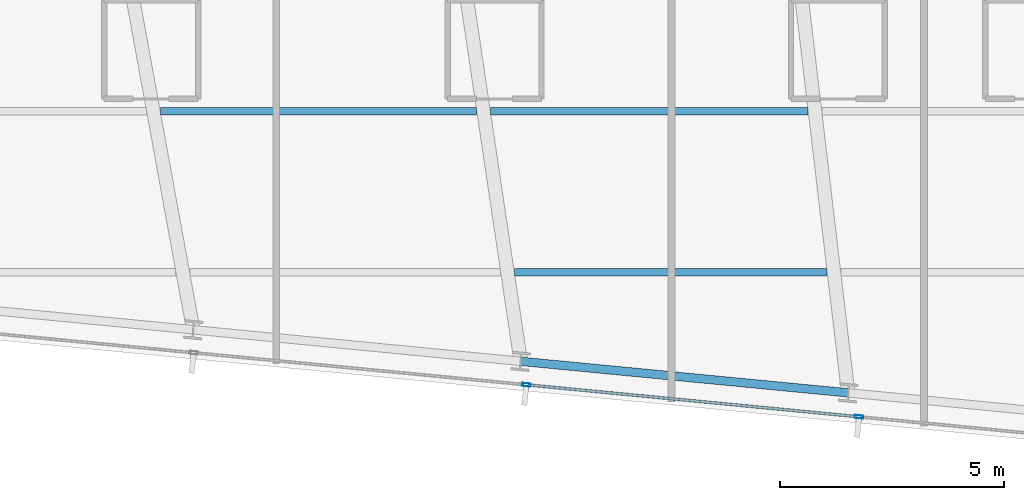
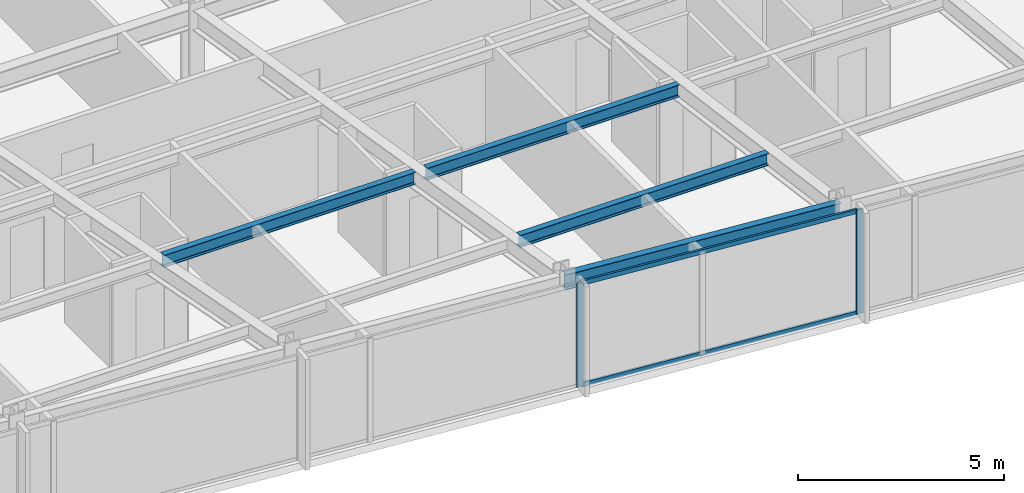
# One storey, part 12 of 38: 4 beams, 4 members, 1 element without a shape of its own.
"""IFC4 building model written with IfcOpenShell, lengths in metres."""

from ifc_helpers import new_model, si_unit, direction, frame, origin, origin_2d, place, context, subcontext, project, spatial, hollow_rectangle, i_section, extrude, material, material_profile, profile_set, type_object, element, aggregate, save


model = new_model("IFC4")

# Units and contexts
model_context = context("Model", 3, precision=1e-05, world=origin(), true_north=direction((0.0, 1.0)))
body_context = subcontext(model_context, "Body", "Model", "MODEL_VIEW")
ifc_project = project(units=[si_unit("LENGTHUNIT", "METRE"), si_unit("AREAUNIT", "SQUARE_METRE"), si_unit("VOLUMEUNIT", "CUBIC_METRE"), si_unit("PLANEANGLEUNIT", "RADIAN"), si_unit("MASSUNIT", "GRAM", prefix="KILO")], contexts=[model_context])

# Site, building, storey
site_placement = place(None, origin())
site = spatial("IfcSite", under=ifc_project, at=site_placement, CompositionType="ELEMENT")
building_placement = place(site_placement, origin())
building = spatial("IfcBuilding", under=site, at=building_placement, Name="Yelkora Congress Tower", CompositionType="ELEMENT")
storey_placement = place(building_placement, frame((0.0, 0.0, 185.300048828125)))
storey = spatial("IfcBuildingStorey", under=building, at=storey_placement, Name="L51", CompositionType="ELEMENT", Elevation=185.300048828125)

# Beams
ifc_material_1 = material(Name="Steel S355J2", Category="steel")
ifc_material_profile_1 = material_profile(ifc_material_1, i_section(OverallWidth=0.169921875, OverallDepth=0.360107421875, WebThickness=0.008056640625, FlangeThickness=0.0126953125, FilletRadius=0.01806640625, at=origin_2d()), Name="IPE 360")
ifc_profile_set_1 = profile_set([ifc_material_profile_1], Name="Steel S355J2")
beam_type_1 = type_object("IfcBeamType", Name="BM-JOIST-IPE360", PredefinedType="JOIST", material=ifc_profile_set_1)
beam_1_placement = place(storey_placement, frame((40.39990234375, 12.8212890625, 2.89990234375), z_axis=(1.0, 0.0, 0.0), x_axis=(0.0, 1.0, 0.0)))
element("IfcBeam", 1, at=beam_1_placement, inside=storey, type_object=beam_type_1, Name="L51 Composite Floor Joist 3", PredefinedType="JOIST", context=body_context, shape_type="SweptSolid", body=[
    extrude(i_section(OverallWidth=0.169921875, OverallDepth=0.360107421875, WebThickness=0.008056640625, FlangeThickness=0.0126953125, FilletRadius=0.01806640625, at=origin_2d()), origin(), (0.0, 0.0, 1.0), 6.98095703125),
])
beam_2_placement = place(storey_placement, frame((32.481201171875, 16.421142578125, 2.89990234375), z_axis=(1.0, 0.0, 0.0), x_axis=(0.0, 1.0, 0.0)))
element("IfcBeam", 2, at=beam_2_placement, inside=storey, type_object=beam_type_1, Name="L51 Composite Floor Joist 9", PredefinedType="JOIST", context=body_context, shape_type="SweptSolid", body=[
    extrude(i_section(OverallWidth=0.169921875, OverallDepth=0.360107421875, WebThickness=0.008056640625, FlangeThickness=0.0126953125, FilletRadius=0.01806640625, at=origin_2d()), origin(), (0.0, 0.0, 1.0), 7.063720703125),
])
beam_3_placement = place(storey_placement, frame((39.86474609375, 16.421142578125, 2.89990234375), z_axis=(1.0, 0.0, 0.0), x_axis=(0.0, 1.0, 0.0)))
element("IfcBeam", 3, at=beam_3_placement, inside=storey, type_object=beam_type_1, Name="L51 Composite Floor Joist 10", PredefinedType="JOIST", context=body_context, shape_type="SweptSolid", body=[
    extrude(i_section(OverallWidth=0.169921875, OverallDepth=0.360107421875, WebThickness=0.008056640625, FlangeThickness=0.0126953125, FilletRadius=0.01806640625, at=origin_2d()), origin(), (0.0, 0.0, 1.0), 7.09130859375),
])
ifc_material_profile_2 = material_profile(ifc_material_1, i_section(OverallWidth=0.18994140625, OverallDepth=0.449951171875, WebThickness=0.009521484375, FlangeThickness=0.0146484375, FilletRadius=0.02099609375, at=origin_2d()), Name="IPE 450")
ifc_profile_set_2 = profile_set([ifc_material_profile_2], Name="Steel S355J2")
beam_type_2 = type_object("IfcBeamType", Name="BM-SPAN-IPE450", PredefinedType="SPANDREL", material=ifc_profile_set_2)
beam_4_placement = place(storey_placement, frame((40.53564453125, 10.83154296875, 2.85498046875), z_axis=(0.995397104697, -0.095836339457, 0.0), x_axis=(0.095836339457, 0.995397104697, 0.0)))
element("IfcBeam", 4, at=beam_4_placement, inside=storey, type_object=beam_type_2, Name="L51 Perimeter Beam 7", PredefinedType="SPANDREL", context=body_context, shape_type="SweptSolid", body=[
    extrude(i_section(OverallWidth=0.18994140625, OverallDepth=0.449951171875, WebThickness=0.009521484375, FlangeThickness=0.0146484375, FilletRadius=0.02099609375, at=origin_2d()), origin(), (0.0, 0.0, 1.0), 7.357177734375),
])

# Curtain wall, members
ifc_material_2 = material(Name="Anodised aluminium and insulated glass", Category="aluminium")
curtain_wall_type = type_object("IfcCurtainWallType", Name="CW-SYS-B3", PredefinedType="NOTDEFINED", material=ifc_material_2)
curtain_wall_placement = place(storey_placement, origin())
curtain_wall = element("IfcCurtainWall", 5, at=curtain_wall_placement, inside=storey, type_object=curtain_wall_type, Name="L51 Unitised Curtain Wall 20", PredefinedType="NOTDEFINED")
ifc_material_3 = material(Name="Anodised aluminium 6063-T6", Category="aluminium")
ifc_material_profile_3 = material_profile(ifc_material_3, hollow_rectangle(XDim=0.070068359375, YDim=0.18994140625, WallThickness=0.00390625, at=origin_2d()), Name="ALU 70x190x4")
ifc_profile_set_3 = profile_set([ifc_material_profile_3], Name="Anodised aluminium 6063-T6")
member_type_1 = type_object("IfcMemberType", Name="MEM-ML-B3", PredefinedType="MULLION", material=ifc_profile_set_3)
member_1_placement = place(storey_placement, frame((48.1015625, 9.590576171875, 0.0), z_axis=(0.0, 0.0, 1.0), x_axis=(-0.095844680679, -0.995396301573, 0.0)))
member_1 = element("IfcMember", 6, at=member_1_placement, type_object=member_type_1, Name="CW-B3 mullion 2", PredefinedType="MULLION", context=body_context, shape_type="SweptSolid", body=[
    extrude(hollow_rectangle(XDim=0.070068359375, YDim=0.18994140625, WallThickness=0.00390625, at=origin_2d()), origin(), (0.0, 0.0, 1.0), 3.079833984375),
])
member_2_placement = place(storey_placement, frame((40.66162109375, 10.30712890625, 0.0), z_axis=(0.0, 0.0, 1.0), x_axis=(-0.095844680679, -0.995396301573, 0.0)))
member_2 = element("IfcMember", 7, at=member_2_placement, type_object=member_type_1, Name="CW-B3 mullion 3", PredefinedType="MULLION", context=body_context, shape_type="SweptSolid", body=[
    extrude(hollow_rectangle(XDim=0.070068359375, YDim=0.18994140625, WallThickness=0.00390625, at=origin_2d()), origin(), (0.0, 0.0, 1.0), 3.079833984375),
])
ifc_material_profile_4 = material_profile(ifc_material_3, hollow_rectangle(XDim=0.06005859375, YDim=0.1298828125, WallThickness=0.00390625, at=origin_2d()), Name="ALU 60x130x4")
ifc_profile_set_4 = profile_set([ifc_material_profile_4], Name="Anodised aluminium 6063-T6")
member_type_2 = type_object("IfcMemberType", Name="MEM-TR-B3", PredefinedType="USERDEFINED", material=ifc_profile_set_4)
member_3_placement = place(storey_placement, frame((48.066650390625, 9.593994140625, 0.030029296875), z_axis=(-0.99539548672, 0.095853142967, 0.0), x_axis=(-0.095853142967, -0.99539548672, 0.0)))
member_3 = element("IfcMember", 8, at=member_3_placement, type_object=member_type_2, Name="CW-B3 transom 2.1", ObjectType="TRANSOM", PredefinedType="USERDEFINED", context=body_context, shape_type="SweptSolid", body=[
    extrude(hollow_rectangle(XDim=0.06005859375, YDim=0.1298828125, WallThickness=0.00390625, at=origin_2d()), origin(), (0.0, 0.0, 1.0), 7.404296875),
])
member_4_placement = place(storey_placement, frame((48.066650390625, 9.593994140625, 3.050048828125), z_axis=(-0.99539548672, 0.095853142967, 0.0), x_axis=(-0.095853142967, -0.99539548672, 0.0)))
member_4 = element("IfcMember", 9, at=member_4_placement, type_object=member_type_2, Name="CW-B3 transom 2.2", ObjectType="TRANSOM", PredefinedType="USERDEFINED", context=body_context, shape_type="SweptSolid", body=[
    extrude(hollow_rectangle(XDim=0.06005859375, YDim=0.1298828125, WallThickness=0.00390625, at=origin_2d()), origin(), (0.0, 0.0, 1.0), 7.404296875),
])
aggregate(curtain_wall, [member_1, member_2, member_3, member_4])

save(model, "model.ifc")
